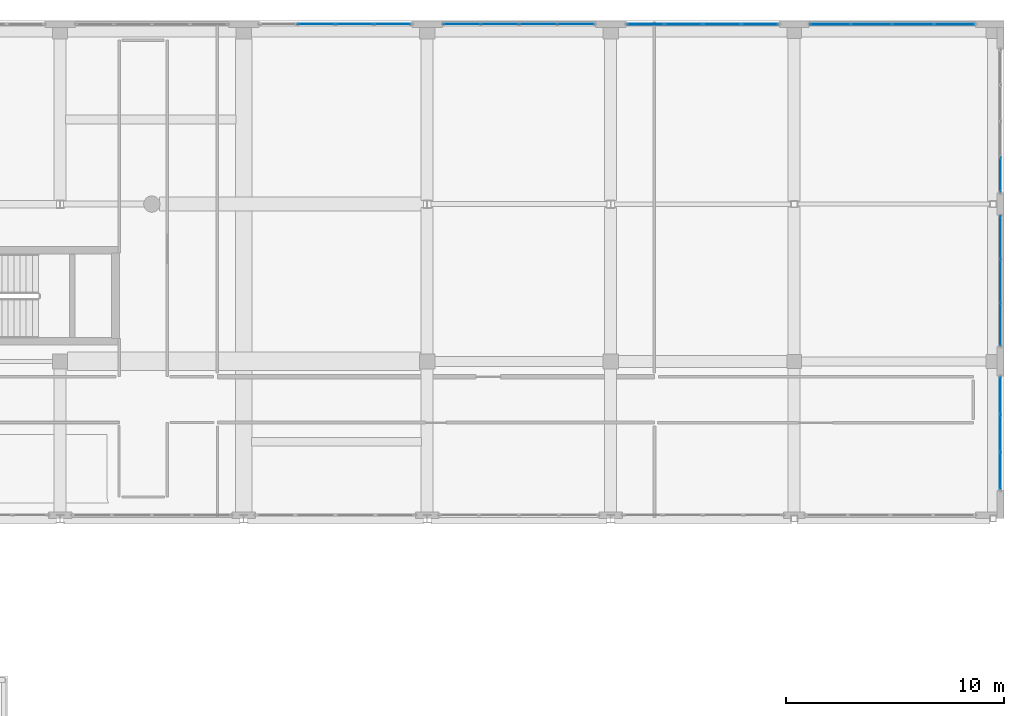
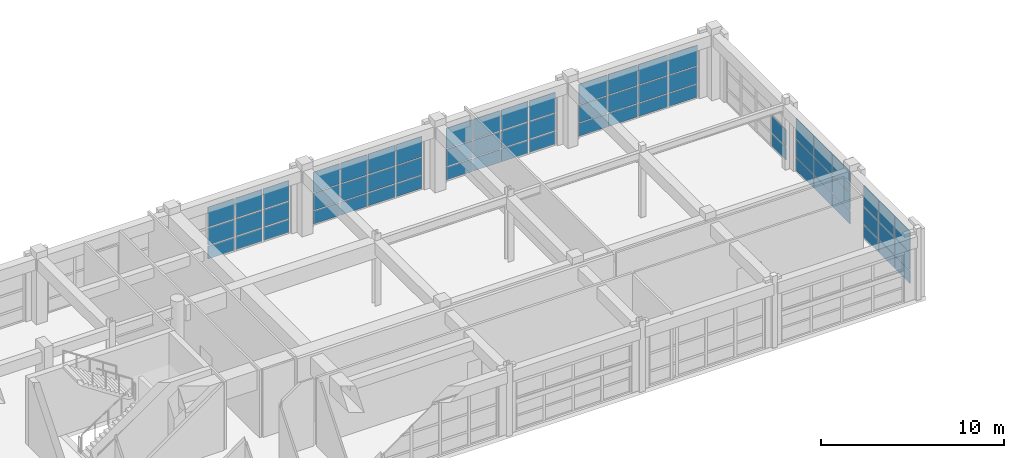
# One storey, part 98 of 123: 65 plates, 7 elements without a shape of their own.
"""IFC4 building model written with IfcOpenShell, lengths in metres."""

from ifc_helpers import new_model, si_unit, direction, frame, origin, origin_2d, place, context, subcontext, project, spatial, rectangle, extrude, material, layer, layer_set, type_object, element, aggregate, save


model = new_model("IFC4")

# Units and contexts
model_context = context("Model", 3, precision=1e-05, world=origin(), true_north=direction((0.0, 1.0)))
body_context = subcontext(model_context, "Body", "Model", "MODEL_VIEW")
ifc_project = project(units=[si_unit("LENGTHUNIT", "METRE"), si_unit("AREAUNIT", "SQUARE_METRE"), si_unit("VOLUMEUNIT", "CUBIC_METRE"), si_unit("PLANEANGLEUNIT", "RADIAN"), si_unit("MASSUNIT", "GRAM", prefix="KILO")], contexts=[model_context])

# Site, building, storey
site_placement = place(None, origin())
site = spatial("IfcSite", under=ifc_project, at=site_placement, CompositionType="ELEMENT")
building_placement = place(site_placement, origin())
building = spatial("IfcBuilding", under=site, at=building_placement, Name="Quendrovan Civic Courthouse", CompositionType="ELEMENT")
storey_placement = place(building_placement, frame((0.0, 0.0, 5.39990234375)))
storey = spatial("IfcBuildingStorey", under=building, at=storey_placement, Name="L02", CompositionType="ELEMENT", Elevation=5.39990234375)

# Curtain wall, plates
ifc_material_1 = material(Name="Bronze anodised aluminium and low-E glass", Category="aluminium")
ifc_layer_1 = layer(ifc_material_1, 0.179931640625, Name="Bronze anodised aluminium and low-E glass")
ifc_layer_set_1 = layer_set([ifc_layer_1], Name="Bronze anodised aluminium and low-E glass")
curtain_wall_type_1 = type_object("IfcCurtainWallType", Name="CW-U70x36", PredefinedType="USERDEFINED", material=ifc_layer_set_1)
curtain_wall_1_placement = place(storey_placement, origin())
curtain_wall_1 = element("IfcCurtainWall", 1, at=curtain_wall_1_placement, inside=storey, type_object=curtain_wall_type_1, Name="L02 Unitised Hurricane Curtain Wall CW-092", ObjectType="UNITISED CURTAIN WALL", PredefinedType="USERDEFINED")
ifc_material_2 = material(Name="Laminated hurricane-impact low-E glass", Category="glass")
ifc_layer_2 = layer(ifc_material_2, 0.028076171875, Name="Laminated hurricane-impact low-E glass")
ifc_layer_set_2 = layer_set([ifc_layer_2], Name="Laminated hurricane-impact low-E glass")
plate_type_1 = type_object("IfcPlateType", Name="CW-PNL-1", PredefinedType="CURTAIN_PANEL", material=ifc_layer_set_2)
plate_1_placement = place(storey_placement, frame((129.324951171875, 110.235107421875, 0.0703125), z_axis=(0.0, 0.0, 1.0), x_axis=(1.0, 0.0, 0.0)))
plate_1 = element("IfcPlate", 2, at=plate_1_placement, type_object=plate_type_1, Name="CW-092 panel 2.1", PredefinedType="CURTAIN_PANEL", context=body_context, shape_type="SweptSolid", body=[
    extrude(rectangle(XDim=1.679931640625, YDim=0.028076171875, at=origin_2d()), origin(), (0.0, 0.0, 1.0), 0.844970703125),
])
plate_2_placement = place(storey_placement, frame((129.324951171875, 110.235107421875, 0.985107421875), z_axis=(0.0, 0.0, 1.0), x_axis=(1.0, 0.0, 0.0)))
plate_2 = element("IfcPlate", 3, at=plate_2_placement, type_object=plate_type_1, Name="CW-092 panel 2.2", PredefinedType="CURTAIN_PANEL", context=body_context, shape_type="SweptSolid", body=[
    extrude(rectangle(XDim=1.679931640625, YDim=0.028076171875, at=origin_2d()), origin(), (0.0, 0.0, 1.0), 1.1298828125),
])
plate_3_placement = place(storey_placement, frame((129.324951171875, 110.235107421875, 2.18505859375), z_axis=(0.0, 0.0, 1.0), x_axis=(1.0, 0.0, 0.0)))
plate_3 = element("IfcPlate", 4, at=plate_3_placement, type_object=plate_type_1, Name="CW-092 panel 2.3", PredefinedType="CURTAIN_PANEL", context=body_context, shape_type="SweptSolid", body=[
    extrude(rectangle(XDim=1.679931640625, YDim=0.028076171875, at=origin_2d()), origin(), (0.0, 0.0, 1.0), 1.344970703125),
])
plate_4_placement = place(storey_placement, frame((131.074951171875, 110.235107421875, 0.0703125), z_axis=(0.0, 0.0, 1.0), x_axis=(1.0, 0.0, 0.0)))
plate_4 = element("IfcPlate", 5, at=plate_4_placement, type_object=plate_type_1, Name="CW-092 panel 3.1", PredefinedType="CURTAIN_PANEL", context=body_context, shape_type="SweptSolid", body=[
    extrude(rectangle(XDim=1.679931640625, YDim=0.028076171875, at=origin_2d()), origin(), (0.0, 0.0, 1.0), 0.844970703125),
])
plate_5_placement = place(storey_placement, frame((131.074951171875, 110.235107421875, 0.985107421875), z_axis=(0.0, 0.0, 1.0), x_axis=(1.0, 0.0, 0.0)))
plate_5 = element("IfcPlate", 6, at=plate_5_placement, type_object=plate_type_1, Name="CW-092 panel 3.2", PredefinedType="CURTAIN_PANEL", context=body_context, shape_type="SweptSolid", body=[
    extrude(rectangle(XDim=1.679931640625, YDim=0.028076171875, at=origin_2d()), origin(), (0.0, 0.0, 1.0), 1.1298828125),
])
plate_6_placement = place(storey_placement, frame((131.074951171875, 110.235107421875, 2.18505859375), z_axis=(0.0, 0.0, 1.0), x_axis=(1.0, 0.0, 0.0)))
plate_6 = element("IfcPlate", 7, at=plate_6_placement, type_object=plate_type_1, Name="CW-092 panel 3.3", PredefinedType="CURTAIN_PANEL", context=body_context, shape_type="SweptSolid", body=[
    extrude(rectangle(XDim=1.679931640625, YDim=0.028076171875, at=origin_2d()), origin(), (0.0, 0.0, 1.0), 1.344970703125),
])
plate_7_placement = place(storey_placement, frame((132.8076171875, 110.235107421875, 0.0703125), z_axis=(0.0, 0.0, 1.0), x_axis=(1.0, 0.0, 0.0)))
plate_7 = element("IfcPlate", 8, at=plate_7_placement, type_object=plate_type_1, Name="CW-092 panel 4.1", PredefinedType="CURTAIN_PANEL", context=body_context, shape_type="SweptSolid", body=[
    extrude(rectangle(XDim=1.64501953125, YDim=0.028076171875, at=origin_2d()), origin(), (0.0, 0.0, 1.0), 0.844970703125),
])
plate_8_placement = place(storey_placement, frame((132.8076171875, 110.235107421875, 0.985107421875), z_axis=(0.0, 0.0, 1.0), x_axis=(1.0, 0.0, 0.0)))
plate_8 = element("IfcPlate", 9, at=plate_8_placement, type_object=plate_type_1, Name="CW-092 panel 4.2", PredefinedType="CURTAIN_PANEL", context=body_context, shape_type="SweptSolid", body=[
    extrude(rectangle(XDim=1.64501953125, YDim=0.028076171875, at=origin_2d()), origin(), (0.0, 0.0, 1.0), 1.1298828125),
])
plate_9_placement = place(storey_placement, frame((132.8076171875, 110.235107421875, 2.18505859375), z_axis=(0.0, 0.0, 1.0), x_axis=(1.0, 0.0, 0.0)))
plate_9 = element("IfcPlate", 10, at=plate_9_placement, type_object=plate_type_1, Name="CW-092 panel 4.3", PredefinedType="CURTAIN_PANEL", context=body_context, shape_type="SweptSolid", body=[
    extrude(rectangle(XDim=1.64501953125, YDim=0.028076171875, at=origin_2d()), origin(), (0.0, 0.0, 1.0), 1.344970703125),
])
aggregate(curtain_wall_1, [plate_1, plate_2, plate_3, plate_4, plate_5, plate_6, plate_7, plate_8, plate_9])

ifc_layer_3 = layer(ifc_material_1, 0.179931640625, Name="Bronze anodised aluminium and low-E glass")
ifc_layer_set_3 = layer_set([ifc_layer_3], Name="Bronze anodised aluminium and low-E glass")
curtain_wall_type_2 = type_object("IfcCurtainWallType", Name="CW-U66x36", PredefinedType="USERDEFINED", material=ifc_layer_set_3)
curtain_wall_2_placement = place(storey_placement, origin())
curtain_wall_2 = element("IfcCurtainWall", 11, at=curtain_wall_2_placement, inside=storey, type_object=curtain_wall_type_2, Name="L02 Unitised Hurricane Curtain Wall CW-096", ObjectType="UNITISED CURTAIN WALL", PredefinedType="USERDEFINED")
plate_10_placement = place(storey_placement, frame((160.635009765625, 103.342529296875, 0.0703125), z_axis=(0.0, 0.0, 1.0), x_axis=(0.0, -1.0, 0.0)))
plate_10 = element("IfcPlate", 12, at=plate_10_placement, type_object=plate_type_1, Name="CW-096 panel 4.1", PredefinedType="CURTAIN_PANEL", context=body_context, shape_type="SweptSolid", body=[
    extrude(rectangle(XDim=1.544921875, YDim=0.028076171875, at=origin_2d()), origin(), (0.0, 0.0, 1.0), 0.844970703125),
])
plate_11_placement = place(storey_placement, frame((160.635009765625, 103.342529296875, 0.985107421875), z_axis=(0.0, 0.0, 1.0), x_axis=(0.0, -1.0, 0.0)))
plate_11 = element("IfcPlate", 13, at=plate_11_placement, type_object=plate_type_1, Name="CW-096 panel 4.2", PredefinedType="CURTAIN_PANEL", context=body_context, shape_type="SweptSolid", body=[
    extrude(rectangle(XDim=1.544921875, YDim=0.028076171875, at=origin_2d()), origin(), (0.0, 0.0, 1.0), 1.1298828125),
])
aggregate(curtain_wall_2, [plate_10, plate_11])

curtain_wall_3_placement = place(storey_placement, origin())
curtain_wall_3 = element("IfcCurtainWall", 14, at=curtain_wall_3_placement, inside=storey, type_object=curtain_wall_type_1, Name="L02 Unitised Hurricane Curtain Wall CW-093", ObjectType="UNITISED CURTAIN WALL", PredefinedType="USERDEFINED")
ifc_layer_4 = layer(ifc_material_2, 0.031982421875, Name="Laminated hurricane-impact low-E glass")
ifc_layer_set_4 = layer_set([ifc_layer_4], Name="Laminated hurricane-impact low-E glass")
plate_type_2 = type_object("IfcPlateType", Name="CW-PNL-2", PredefinedType="CURTAIN_PANEL", material=ifc_layer_set_4)
plate_12_placement = place(storey_placement, frame((135.9912109375, 110.235107421875, 0.065185546875), z_axis=(0.0, 0.0, 1.0), x_axis=(1.0, 0.0, 0.0)))
plate_12 = element("IfcPlate", 15, at=plate_12_placement, type_object=plate_type_2, Name="CW-093 panel 1.1", PredefinedType="CURTAIN_PANEL", context=body_context, shape_type="SweptSolid", body=[
    extrude(rectangle(XDim=1.652587890625, YDim=0.031982421875, at=origin_2d()), origin(), (0.0, 0.0, 1.0), 0.8525390625),
])
plate_13_placement = place(storey_placement, frame((135.9912109375, 110.235107421875, 0.982421875), z_axis=(0.0, 0.0, 1.0), x_axis=(1.0, 0.0, 0.0)))
plate_13 = element("IfcPlate", 16, at=plate_13_placement, type_object=plate_type_2, Name="CW-093 panel 1.2", PredefinedType="CURTAIN_PANEL", context=body_context, shape_type="SweptSolid", body=[
    extrude(rectangle(XDim=1.652587890625, YDim=0.031982421875, at=origin_2d()), origin(), (0.0, 0.0, 1.0), 1.135009765625),
])
plate_14_placement = place(storey_placement, frame((135.9912109375, 110.235107421875, 2.1826171875), z_axis=(0.0, 0.0, 1.0), x_axis=(1.0, 0.0, 0.0)))
plate_14 = element("IfcPlate", 17, at=plate_14_placement, type_object=plate_type_2, Name="CW-093 panel 1.3", PredefinedType="CURTAIN_PANEL", context=body_context, shape_type="SweptSolid", body=[
    extrude(rectangle(XDim=1.652587890625, YDim=0.031982421875, at=origin_2d()), origin(), (0.0, 0.0, 1.0), 1.3525390625),
])
plate_15_placement = place(storey_placement, frame((137.72509765625, 110.235107421875, 0.065185546875), z_axis=(0.0, 0.0, 1.0), x_axis=(1.0, 0.0, 0.0)))
plate_15 = element("IfcPlate", 18, at=plate_15_placement, type_object=plate_type_2, Name="CW-093 panel 2.1", PredefinedType="CURTAIN_PANEL", context=body_context, shape_type="SweptSolid", body=[
    extrude(rectangle(XDim=1.68505859375, YDim=0.031982421875, at=origin_2d()), origin(), (0.0, 0.0, 1.0), 0.8525390625),
])
plate_16_placement = place(storey_placement, frame((137.72509765625, 110.235107421875, 0.982421875), z_axis=(0.0, 0.0, 1.0), x_axis=(1.0, 0.0, 0.0)))
plate_16 = element("IfcPlate", 19, at=plate_16_placement, type_object=plate_type_2, Name="CW-093 panel 2.2", PredefinedType="CURTAIN_PANEL", context=body_context, shape_type="SweptSolid", body=[
    extrude(rectangle(XDim=1.68505859375, YDim=0.031982421875, at=origin_2d()), origin(), (0.0, 0.0, 1.0), 1.135009765625),
])
plate_17_placement = place(storey_placement, frame((137.72509765625, 110.235107421875, 2.1826171875), z_axis=(0.0, 0.0, 1.0), x_axis=(1.0, 0.0, 0.0)))
plate_17 = element("IfcPlate", 20, at=plate_17_placement, type_object=plate_type_2, Name="CW-093 panel 2.3", PredefinedType="CURTAIN_PANEL", context=body_context, shape_type="SweptSolid", body=[
    extrude(rectangle(XDim=1.68505859375, YDim=0.031982421875, at=origin_2d()), origin(), (0.0, 0.0, 1.0), 1.3525390625),
])
plate_18_placement = place(storey_placement, frame((139.47509765625, 110.235107421875, 0.065185546875), z_axis=(0.0, 0.0, 1.0), x_axis=(1.0, 0.0, 0.0)))
plate_18 = element("IfcPlate", 21, at=plate_18_placement, type_object=plate_type_2, Name="CW-093 panel 3.1", PredefinedType="CURTAIN_PANEL", context=body_context, shape_type="SweptSolid", body=[
    extrude(rectangle(XDim=1.68505859375, YDim=0.031982421875, at=origin_2d()), origin(), (0.0, 0.0, 1.0), 0.8525390625),
])
plate_19_placement = place(storey_placement, frame((139.47509765625, 110.235107421875, 0.982421875), z_axis=(0.0, 0.0, 1.0), x_axis=(1.0, 0.0, 0.0)))
plate_19 = element("IfcPlate", 22, at=plate_19_placement, type_object=plate_type_2, Name="CW-093 panel 3.2", PredefinedType="CURTAIN_PANEL", context=body_context, shape_type="SweptSolid", body=[
    extrude(rectangle(XDim=1.68505859375, YDim=0.031982421875, at=origin_2d()), origin(), (0.0, 0.0, 1.0), 1.135009765625),
])
plate_20_placement = place(storey_placement, frame((139.47509765625, 110.235107421875, 2.1826171875), z_axis=(0.0, 0.0, 1.0), x_axis=(1.0, 0.0, 0.0)))
plate_20 = element("IfcPlate", 23, at=plate_20_placement, type_object=plate_type_2, Name="CW-093 panel 3.3", PredefinedType="CURTAIN_PANEL", context=body_context, shape_type="SweptSolid", body=[
    extrude(rectangle(XDim=1.68505859375, YDim=0.031982421875, at=origin_2d()), origin(), (0.0, 0.0, 1.0), 1.3525390625),
])
plate_21_placement = place(storey_placement, frame((141.208740234375, 110.235107421875, 0.065185546875), z_axis=(0.0, 0.0, 1.0), x_axis=(1.0, 0.0, 0.0)))
plate_21 = element("IfcPlate", 24, at=plate_21_placement, type_object=plate_type_2, Name="CW-093 panel 4.1", PredefinedType="CURTAIN_PANEL", context=body_context, shape_type="SweptSolid", body=[
    extrude(rectangle(XDim=1.652587890625, YDim=0.031982421875, at=origin_2d()), origin(), (0.0, 0.0, 1.0), 0.8525390625),
])
plate_22_placement = place(storey_placement, frame((141.208740234375, 110.235107421875, 0.982421875), z_axis=(0.0, 0.0, 1.0), x_axis=(1.0, 0.0, 0.0)))
plate_22 = element("IfcPlate", 25, at=plate_22_placement, type_object=plate_type_2, Name="CW-093 panel 4.2", PredefinedType="CURTAIN_PANEL", context=body_context, shape_type="SweptSolid", body=[
    extrude(rectangle(XDim=1.652587890625, YDim=0.031982421875, at=origin_2d()), origin(), (0.0, 0.0, 1.0), 1.135009765625),
])
plate_23_placement = place(storey_placement, frame((141.208740234375, 110.235107421875, 2.1826171875), z_axis=(0.0, 0.0, 1.0), x_axis=(1.0, 0.0, 0.0)))
plate_23 = element("IfcPlate", 26, at=plate_23_placement, type_object=plate_type_2, Name="CW-093 panel 4.3", PredefinedType="CURTAIN_PANEL", context=body_context, shape_type="SweptSolid", body=[
    extrude(rectangle(XDim=1.652587890625, YDim=0.031982421875, at=origin_2d()), origin(), (0.0, 0.0, 1.0), 1.3525390625),
])
aggregate(curtain_wall_3, [plate_12, plate_13, plate_14, plate_15, plate_16, plate_17, plate_18, plate_19, plate_20, plate_21, plate_22, plate_23])

ifc_layer_5 = layer(ifc_material_1, 0.179931640625, Name="Bronze anodised aluminium and low-E glass")
ifc_layer_set_5 = layer_set([ifc_layer_5], Name="Bronze anodised aluminium and low-E glass")
curtain_wall_type_3 = type_object("IfcCurtainWallType", Name="CW-U60x36", PredefinedType="USERDEFINED", material=ifc_layer_set_5)
curtain_wall_4_placement = place(storey_placement, origin())
curtain_wall_4 = element("IfcCurtainWall", 27, at=curtain_wall_4_placement, inside=storey, type_object=curtain_wall_type_3, Name="L02 Unitised Hurricane Curtain Wall CW-097", ObjectType="UNITISED CURTAIN WALL", PredefinedType="USERDEFINED")
plate_24_placement = place(storey_placement, frame((160.635009765625, 100.4794921875, 0.065185546875), z_axis=(0.0, 0.0, 1.0), x_axis=(0.0, -1.0, 0.0)))
plate_24 = element("IfcPlate", 28, at=plate_24_placement, type_object=plate_type_2, Name="CW-097 panel 1.1", PredefinedType="CURTAIN_PANEL", context=body_context, shape_type="SweptSolid", body=[
    extrude(rectangle(XDim=1.910888671875, YDim=0.031982421875, at=origin_2d()), origin(), (0.0, 0.0, 1.0), 0.8525390625),
])
plate_25_placement = place(storey_placement, frame((160.635009765625, 100.4794921875, 0.982421875), z_axis=(0.0, 0.0, 1.0), x_axis=(0.0, -1.0, 0.0)))
plate_25 = element("IfcPlate", 29, at=plate_25_placement, type_object=plate_type_2, Name="CW-097 panel 1.2", PredefinedType="CURTAIN_PANEL", context=body_context, shape_type="SweptSolid", body=[
    extrude(rectangle(XDim=1.910888671875, YDim=0.031982421875, at=origin_2d()), origin(), (0.0, 0.0, 1.0), 1.135009765625),
])
plate_26_placement = place(storey_placement, frame((160.635009765625, 100.4794921875, 2.1826171875), z_axis=(0.0, 0.0, 1.0), x_axis=(0.0, -1.0, 0.0)))
plate_26 = element("IfcPlate", 30, at=plate_26_placement, type_object=plate_type_2, Name="CW-097 panel 1.3", PredefinedType="CURTAIN_PANEL", context=body_context, shape_type="SweptSolid", body=[
    extrude(rectangle(XDim=1.910888671875, YDim=0.031982421875, at=origin_2d()), origin(), (0.0, 0.0, 1.0), 1.392578125),
])
plate_27_placement = place(storey_placement, frame((160.635009765625, 98.487548828125, 0.065185546875), z_axis=(0.0, 0.0, 1.0), x_axis=(0.0, -1.0, 0.0)))
plate_27 = element("IfcPlate", 31, at=plate_27_placement, type_object=plate_type_2, Name="CW-097 panel 2.1", PredefinedType="CURTAIN_PANEL", context=body_context, shape_type="SweptSolid", body=[
    extrude(rectangle(XDim=1.943359375, YDim=0.031982421875, at=origin_2d()), origin(), (0.0, 0.0, 1.0), 0.8525390625),
])
plate_28_placement = place(storey_placement, frame((160.635009765625, 98.487548828125, 0.982421875), z_axis=(0.0, 0.0, 1.0), x_axis=(0.0, -1.0, 0.0)))
plate_28 = element("IfcPlate", 32, at=plate_28_placement, type_object=plate_type_2, Name="CW-097 panel 2.2", PredefinedType="CURTAIN_PANEL", context=body_context, shape_type="SweptSolid", body=[
    extrude(rectangle(XDim=1.943359375, YDim=0.031982421875, at=origin_2d()), origin(), (0.0, 0.0, 1.0), 1.135009765625),
])
plate_29_placement = place(storey_placement, frame((160.635009765625, 98.487548828125, 2.1826171875), z_axis=(0.0, 0.0, 1.0), x_axis=(0.0, -1.0, 0.0)))
plate_29 = element("IfcPlate", 33, at=plate_29_placement, type_object=plate_type_2, Name="CW-097 panel 2.3", PredefinedType="CURTAIN_PANEL", context=body_context, shape_type="SweptSolid", body=[
    extrude(rectangle(XDim=1.943359375, YDim=0.031982421875, at=origin_2d()), origin(), (0.0, 0.0, 1.0), 1.392578125),
])
plate_30_placement = place(storey_placement, frame((160.635009765625, 96.495361328125, 0.065185546875), z_axis=(0.0, 0.0, 1.0), x_axis=(0.0, -1.0, 0.0)))
plate_30 = element("IfcPlate", 34, at=plate_30_placement, type_object=plate_type_2, Name="CW-097 panel 3.1", PredefinedType="CURTAIN_PANEL", context=body_context, shape_type="SweptSolid", body=[
    extrude(rectangle(XDim=1.910888671875, YDim=0.031982421875, at=origin_2d()), origin(), (0.0, 0.0, 1.0), 0.8525390625),
])
plate_31_placement = place(storey_placement, frame((160.635009765625, 96.495361328125, 0.982421875), z_axis=(0.0, 0.0, 1.0), x_axis=(0.0, -1.0, 0.0)))
plate_31 = element("IfcPlate", 35, at=plate_31_placement, type_object=plate_type_2, Name="CW-097 panel 3.2", PredefinedType="CURTAIN_PANEL", context=body_context, shape_type="SweptSolid", body=[
    extrude(rectangle(XDim=1.910888671875, YDim=0.031982421875, at=origin_2d()), origin(), (0.0, 0.0, 1.0), 1.135009765625),
])
plate_32_placement = place(storey_placement, frame((160.635009765625, 96.495361328125, 2.1826171875), z_axis=(0.0, 0.0, 1.0), x_axis=(0.0, -1.0, 0.0)))
plate_32 = element("IfcPlate", 36, at=plate_32_placement, type_object=plate_type_2, Name="CW-097 panel 3.3", PredefinedType="CURTAIN_PANEL", context=body_context, shape_type="SweptSolid", body=[
    extrude(rectangle(XDim=1.910888671875, YDim=0.031982421875, at=origin_2d()), origin(), (0.0, 0.0, 1.0), 1.392578125),
])
aggregate(curtain_wall_4, [plate_24, plate_25, plate_26, plate_27, plate_28, plate_29, plate_30, plate_31, plate_32])

curtain_wall_5_placement = place(storey_placement, origin())
curtain_wall_5 = element("IfcCurtainWall", 37, at=curtain_wall_5_placement, inside=storey, type_object=curtain_wall_type_1, Name="L02 Unitised Hurricane Curtain Wall CW-094", ObjectType="UNITISED CURTAIN WALL", PredefinedType="USERDEFINED")
ifc_layer_6 = layer(ifc_material_2, 0.035888671875, Name="Laminated hurricane-impact low-E glass")
ifc_layer_set_6 = layer_set([ifc_layer_6], Name="Laminated hurricane-impact low-E glass")
plate_type_3 = type_object("IfcPlateType", Name="CW-PNL-3", PredefinedType="CURTAIN_PANEL", material=ifc_layer_set_6)
plate_33_placement = place(storey_placement, frame((144.3955078125, 110.235107421875, 0.0703125), z_axis=(0.0, 0.0, 1.0), x_axis=(1.0, 0.0, 0.0)))
plate_33 = element("IfcPlate", 38, at=plate_33_placement, type_object=plate_type_3, Name="CW-094 panel 1.1", PredefinedType="CURTAIN_PANEL", context=body_context, shape_type="SweptSolid", body=[
    extrude(rectangle(XDim=1.6513671875, YDim=0.035888671875, at=origin_2d()), origin(), (0.0, 0.0, 1.0), 0.844970703125),
])
plate_34_placement = place(storey_placement, frame((144.3955078125, 110.235107421875, 0.985107421875), z_axis=(0.0, 0.0, 1.0), x_axis=(1.0, 0.0, 0.0)))
plate_34 = element("IfcPlate", 39, at=plate_34_placement, type_object=plate_type_3, Name="CW-094 panel 1.2", PredefinedType="CURTAIN_PANEL", context=body_context, shape_type="SweptSolid", body=[
    extrude(rectangle(XDim=1.6513671875, YDim=0.035888671875, at=origin_2d()), origin(), (0.0, 0.0, 1.0), 1.1298828125),
])
plate_35_placement = place(storey_placement, frame((144.3955078125, 110.235107421875, 2.18505859375), z_axis=(0.0, 0.0, 1.0), x_axis=(1.0, 0.0, 0.0)))
plate_35 = element("IfcPlate", 40, at=plate_35_placement, type_object=plate_type_3, Name="CW-094 panel 1.3", PredefinedType="CURTAIN_PANEL", context=body_context, shape_type="SweptSolid", body=[
    extrude(rectangle(XDim=1.6513671875, YDim=0.035888671875, at=origin_2d()), origin(), (0.0, 0.0, 1.0), 1.344970703125),
])
plate_36_placement = place(storey_placement, frame((146.13427734375, 110.235107421875, 0.0703125), z_axis=(0.0, 0.0, 1.0), x_axis=(1.0, 0.0, 0.0)))
plate_36 = element("IfcPlate", 41, at=plate_36_placement, type_object=plate_type_3, Name="CW-094 panel 2.1", PredefinedType="CURTAIN_PANEL", context=body_context, shape_type="SweptSolid", body=[
    extrude(rectangle(XDim=1.686279296875, YDim=0.035888671875, at=origin_2d()), origin(), (0.0, 0.0, 1.0), 0.844970703125),
])
plate_37_placement = place(storey_placement, frame((146.13427734375, 110.235107421875, 0.985107421875), z_axis=(0.0, 0.0, 1.0), x_axis=(1.0, 0.0, 0.0)))
plate_37 = element("IfcPlate", 42, at=plate_37_placement, type_object=plate_type_3, Name="CW-094 panel 2.2", PredefinedType="CURTAIN_PANEL", context=body_context, shape_type="SweptSolid", body=[
    extrude(rectangle(XDim=1.686279296875, YDim=0.035888671875, at=origin_2d()), origin(), (0.0, 0.0, 1.0), 1.1298828125),
])
plate_38_placement = place(storey_placement, frame((146.13427734375, 110.235107421875, 2.18505859375), z_axis=(0.0, 0.0, 1.0), x_axis=(1.0, 0.0, 0.0)))
plate_38 = element("IfcPlate", 43, at=plate_38_placement, type_object=plate_type_3, Name="CW-094 panel 2.3", PredefinedType="CURTAIN_PANEL", context=body_context, shape_type="SweptSolid", body=[
    extrude(rectangle(XDim=1.686279296875, YDim=0.035888671875, at=origin_2d()), origin(), (0.0, 0.0, 1.0), 1.344970703125),
])
plate_39_placement = place(storey_placement, frame((147.890625, 110.235107421875, 0.0703125), z_axis=(0.0, 0.0, 1.0), x_axis=(1.0, 0.0, 0.0)))
plate_39 = element("IfcPlate", 44, at=plate_39_placement, type_object=plate_type_3, Name="CW-094 panel 3.1", PredefinedType="CURTAIN_PANEL", context=body_context, shape_type="SweptSolid", body=[
    extrude(rectangle(XDim=1.686279296875, YDim=0.035888671875, at=origin_2d()), origin(), (0.0, 0.0, 1.0), 0.844970703125),
])
plate_40_placement = place(storey_placement, frame((147.890625, 110.235107421875, 0.985107421875), z_axis=(0.0, 0.0, 1.0), x_axis=(1.0, 0.0, 0.0)))
plate_40 = element("IfcPlate", 45, at=plate_40_placement, type_object=plate_type_3, Name="CW-094 panel 3.2", PredefinedType="CURTAIN_PANEL", context=body_context, shape_type="SweptSolid", body=[
    extrude(rectangle(XDim=1.686279296875, YDim=0.035888671875, at=origin_2d()), origin(), (0.0, 0.0, 1.0), 1.1298828125),
])
plate_41_placement = place(storey_placement, frame((147.890625, 110.235107421875, 2.18505859375), z_axis=(0.0, 0.0, 1.0), x_axis=(1.0, 0.0, 0.0)))
plate_41 = element("IfcPlate", 46, at=plate_41_placement, type_object=plate_type_3, Name="CW-094 panel 3.3", PredefinedType="CURTAIN_PANEL", context=body_context, shape_type="SweptSolid", body=[
    extrude(rectangle(XDim=1.686279296875, YDim=0.035888671875, at=origin_2d()), origin(), (0.0, 0.0, 1.0), 1.344970703125),
])
plate_42_placement = place(storey_placement, frame((149.62939453125, 110.235107421875, 0.0703125), z_axis=(0.0, 0.0, 1.0), x_axis=(1.0, 0.0, 0.0)))
plate_42 = element("IfcPlate", 47, at=plate_42_placement, type_object=plate_type_3, Name="CW-094 panel 4.1", PredefinedType="CURTAIN_PANEL", context=body_context, shape_type="SweptSolid", body=[
    extrude(rectangle(XDim=1.6513671875, YDim=0.035888671875, at=origin_2d()), origin(), (0.0, 0.0, 1.0), 0.844970703125),
])
plate_43_placement = place(storey_placement, frame((149.62939453125, 110.235107421875, 0.985107421875), z_axis=(0.0, 0.0, 1.0), x_axis=(1.0, 0.0, 0.0)))
plate_43 = element("IfcPlate", 48, at=plate_43_placement, type_object=plate_type_3, Name="CW-094 panel 4.2", PredefinedType="CURTAIN_PANEL", context=body_context, shape_type="SweptSolid", body=[
    extrude(rectangle(XDim=1.6513671875, YDim=0.035888671875, at=origin_2d()), origin(), (0.0, 0.0, 1.0), 1.1298828125),
])
plate_44_placement = place(storey_placement, frame((149.62939453125, 110.235107421875, 2.18505859375), z_axis=(0.0, 0.0, 1.0), x_axis=(1.0, 0.0, 0.0)))
plate_44 = element("IfcPlate", 49, at=plate_44_placement, type_object=plate_type_3, Name="CW-094 panel 4.3", PredefinedType="CURTAIN_PANEL", context=body_context, shape_type="SweptSolid", body=[
    extrude(rectangle(XDim=1.6513671875, YDim=0.035888671875, at=origin_2d()), origin(), (0.0, 0.0, 1.0), 1.344970703125),
])
aggregate(curtain_wall_5, [plate_33, plate_34, plate_35, plate_36, plate_37, plate_38, plate_39, plate_40, plate_41, plate_42, plate_43, plate_44])

ifc_layer_7 = layer(ifc_material_1, 0.179931640625, Name="Bronze anodised aluminium and low-E glass")
ifc_layer_set_7 = layer_set([ifc_layer_7], Name="Bronze anodised aluminium and low-E glass")
curtain_wall_type_4 = type_object("IfcCurtainWallType", Name="CW-U52x36", PredefinedType="USERDEFINED", material=ifc_layer_set_7)
curtain_wall_6_placement = place(storey_placement, origin())
curtain_wall_6 = element("IfcCurtainWall", 50, at=curtain_wall_6_placement, inside=storey, type_object=curtain_wall_type_4, Name="L02 Unitised Hurricane Curtain Wall CW-098", ObjectType="UNITISED CURTAIN WALL", PredefinedType="USERDEFINED")
plate_45_placement = place(storey_placement, frame((160.635009765625, 93.236572265625, 0.0703125), z_axis=(0.0, 0.0, 1.0), x_axis=(0.0, -1.0, 0.0)))
plate_45 = element("IfcPlate", 51, at=plate_45_placement, type_object=plate_type_3, Name="CW-098 panel 1.1", PredefinedType="CURTAIN_PANEL", context=body_context, shape_type="SweptSolid", body=[
    extrude(rectangle(XDim=1.63671875, YDim=0.035888671875, at=origin_2d()), origin(), (0.0, 0.0, 1.0), 0.844970703125),
])
plate_46_placement = place(storey_placement, frame((160.635009765625, 93.236572265625, 0.985107421875), z_axis=(0.0, 0.0, 1.0), x_axis=(0.0, -1.0, 0.0)))
plate_46 = element("IfcPlate", 52, at=plate_46_placement, type_object=plate_type_3, Name="CW-098 panel 1.2", PredefinedType="CURTAIN_PANEL", context=body_context, shape_type="SweptSolid", body=[
    extrude(rectangle(XDim=1.63671875, YDim=0.035888671875, at=origin_2d()), origin(), (0.0, 0.0, 1.0), 1.1298828125),
])
plate_47_placement = place(storey_placement, frame((160.635009765625, 93.236572265625, 2.18505859375), z_axis=(0.0, 0.0, 1.0), x_axis=(0.0, -1.0, 0.0)))
plate_47 = element("IfcPlate", 53, at=plate_47_placement, type_object=plate_type_3, Name="CW-098 panel 1.3", PredefinedType="CURTAIN_PANEL", context=body_context, shape_type="SweptSolid", body=[
    extrude(rectangle(XDim=1.63671875, YDim=0.035888671875, at=origin_2d()), origin(), (0.0, 0.0, 1.0), 1.385009765625),
])
plate_48_placement = place(storey_placement, frame((160.635009765625, 91.512451171875, 0.0703125), z_axis=(0.0, 0.0, 1.0), x_axis=(0.0, -1.0, 0.0)))
plate_48 = element("IfcPlate", 54, at=plate_48_placement, type_object=plate_type_3, Name="CW-098 panel 2.1", PredefinedType="CURTAIN_PANEL", context=body_context, shape_type="SweptSolid", body=[
    extrude(rectangle(XDim=1.671630859375, YDim=0.035888671875, at=origin_2d()), origin(), (0.0, 0.0, 1.0), 0.844970703125),
])
plate_49_placement = place(storey_placement, frame((160.635009765625, 91.512451171875, 0.985107421875), z_axis=(0.0, 0.0, 1.0), x_axis=(0.0, -1.0, 0.0)))
plate_49 = element("IfcPlate", 55, at=plate_49_placement, type_object=plate_type_3, Name="CW-098 panel 2.2", PredefinedType="CURTAIN_PANEL", context=body_context, shape_type="SweptSolid", body=[
    extrude(rectangle(XDim=1.671630859375, YDim=0.035888671875, at=origin_2d()), origin(), (0.0, 0.0, 1.0), 1.1298828125),
])
plate_50_placement = place(storey_placement, frame((160.635009765625, 91.512451171875, 2.18505859375), z_axis=(0.0, 0.0, 1.0), x_axis=(0.0, -1.0, 0.0)))
plate_50 = element("IfcPlate", 56, at=plate_50_placement, type_object=plate_type_3, Name="CW-098 panel 2.3", PredefinedType="CURTAIN_PANEL", context=body_context, shape_type="SweptSolid", body=[
    extrude(rectangle(XDim=1.671630859375, YDim=0.035888671875, at=origin_2d()), origin(), (0.0, 0.0, 1.0), 1.385009765625),
])
plate_51_placement = place(storey_placement, frame((160.635009765625, 89.788330078125, 0.0703125), z_axis=(0.0, 0.0, 1.0), x_axis=(0.0, -1.0, 0.0)))
plate_51 = element("IfcPlate", 57, at=plate_51_placement, type_object=plate_type_3, Name="CW-098 panel 3.1", PredefinedType="CURTAIN_PANEL", context=body_context, shape_type="SweptSolid", body=[
    extrude(rectangle(XDim=1.63671875, YDim=0.035888671875, at=origin_2d()), origin(), (0.0, 0.0, 1.0), 0.844970703125),
])
plate_52_placement = place(storey_placement, frame((160.635009765625, 89.788330078125, 0.985107421875), z_axis=(0.0, 0.0, 1.0), x_axis=(0.0, -1.0, 0.0)))
plate_52 = element("IfcPlate", 58, at=plate_52_placement, type_object=plate_type_3, Name="CW-098 panel 3.2", PredefinedType="CURTAIN_PANEL", context=body_context, shape_type="SweptSolid", body=[
    extrude(rectangle(XDim=1.63671875, YDim=0.035888671875, at=origin_2d()), origin(), (0.0, 0.0, 1.0), 1.1298828125),
])
plate_53_placement = place(storey_placement, frame((160.635009765625, 89.788330078125, 2.18505859375), z_axis=(0.0, 0.0, 1.0), x_axis=(0.0, -1.0, 0.0)))
plate_53 = element("IfcPlate", 59, at=plate_53_placement, type_object=plate_type_3, Name="CW-098 panel 3.3", PredefinedType="CURTAIN_PANEL", context=body_context, shape_type="SweptSolid", body=[
    extrude(rectangle(XDim=1.63671875, YDim=0.035888671875, at=origin_2d()), origin(), (0.0, 0.0, 1.0), 1.385009765625),
])
aggregate(curtain_wall_6, [plate_45, plate_46, plate_47, plate_48, plate_49, plate_50, plate_51, plate_52, plate_53])

ifc_layer_8 = layer(ifc_material_1, 0.179931640625, Name="Bronze anodised aluminium and low-E glass")
ifc_layer_set_8 = layer_set([ifc_layer_8], Name="Bronze anodised aluminium and low-E glass")
curtain_wall_type_5 = type_object("IfcCurtainWallType", Name="CW-U76x36", PredefinedType="USERDEFINED", material=ifc_layer_set_8)
curtain_wall_7_placement = place(storey_placement, origin())
curtain_wall_7 = element("IfcCurtainWall", 60, at=curtain_wall_7_placement, inside=storey, type_object=curtain_wall_type_5, Name="L02 Unitised Hurricane Curtain Wall CW-095", ObjectType="UNITISED CURTAIN WALL", PredefinedType="USERDEFINED")
ifc_layer_9 = layer(ifc_material_2, 0.0419921875, Name="Laminated hurricane-impact low-E glass")
ifc_layer_set_9 = layer_set([ifc_layer_9], Name="Laminated hurricane-impact low-E glass")
plate_type_4 = type_object("IfcPlateType", Name="CW-PNL-4", PredefinedType="CURTAIN_PANEL", material=ifc_layer_set_9)
plate_54_placement = place(storey_placement, frame((152.844482421875, 110.235107421875, 0.065185546875), z_axis=(0.0, 0.0, 1.0), x_axis=(1.0, 0.0, 0.0)))
plate_54 = element("IfcPlate", 61, at=plate_54_placement, type_object=plate_type_4, Name="CW-095 panel 1.1", PredefinedType="CURTAIN_PANEL", context=body_context, shape_type="SweptSolid", body=[
    extrude(rectangle(XDim=1.808837890625, YDim=0.0419921875, at=origin_2d()), origin(), (0.0, 0.0, 1.0), 0.8525390625),
])
plate_55_placement = place(storey_placement, frame((152.844482421875, 110.235107421875, 0.982421875), z_axis=(0.0, 0.0, 1.0), x_axis=(1.0, 0.0, 0.0)))
plate_55 = element("IfcPlate", 62, at=plate_55_placement, type_object=plate_type_4, Name="CW-095 panel 1.2", PredefinedType="CURTAIN_PANEL", context=body_context, shape_type="SweptSolid", body=[
    extrude(rectangle(XDim=1.808837890625, YDim=0.0419921875, at=origin_2d()), origin(), (0.0, 0.0, 1.0), 1.135009765625),
])
plate_56_placement = place(storey_placement, frame((152.844482421875, 110.235107421875, 2.1826171875), z_axis=(0.0, 0.0, 1.0), x_axis=(1.0, 0.0, 0.0)))
plate_56 = element("IfcPlate", 63, at=plate_56_placement, type_object=plate_type_4, Name="CW-095 panel 1.3", PredefinedType="CURTAIN_PANEL", context=body_context, shape_type="SweptSolid", body=[
    extrude(rectangle(XDim=1.808837890625, YDim=0.0419921875, at=origin_2d()), origin(), (0.0, 0.0, 1.0), 1.3525390625),
])
plate_57_placement = place(storey_placement, frame((154.734375, 110.235107421875, 0.065185546875), z_axis=(0.0, 0.0, 1.0), x_axis=(1.0, 0.0, 0.0)))
plate_57 = element("IfcPlate", 64, at=plate_57_placement, type_object=plate_type_4, Name="CW-095 panel 2.1", PredefinedType="CURTAIN_PANEL", context=body_context, shape_type="SweptSolid", body=[
    extrude(rectangle(XDim=1.84130859375, YDim=0.0419921875, at=origin_2d()), origin(), (0.0, 0.0, 1.0), 0.8525390625),
])
plate_58_placement = place(storey_placement, frame((154.734375, 110.235107421875, 0.982421875), z_axis=(0.0, 0.0, 1.0), x_axis=(1.0, 0.0, 0.0)))
plate_58 = element("IfcPlate", 65, at=plate_58_placement, type_object=plate_type_4, Name="CW-095 panel 2.2", PredefinedType="CURTAIN_PANEL", context=body_context, shape_type="SweptSolid", body=[
    extrude(rectangle(XDim=1.84130859375, YDim=0.0419921875, at=origin_2d()), origin(), (0.0, 0.0, 1.0), 1.135009765625),
])
plate_59_placement = place(storey_placement, frame((154.734375, 110.235107421875, 2.1826171875), z_axis=(0.0, 0.0, 1.0), x_axis=(1.0, 0.0, 0.0)))
plate_59 = element("IfcPlate", 66, at=plate_59_placement, type_object=plate_type_4, Name="CW-095 panel 2.3", PredefinedType="CURTAIN_PANEL", context=body_context, shape_type="SweptSolid", body=[
    extrude(rectangle(XDim=1.84130859375, YDim=0.0419921875, at=origin_2d()), origin(), (0.0, 0.0, 1.0), 1.3525390625),
])
plate_60_placement = place(storey_placement, frame((156.640625, 110.235107421875, 0.065185546875), z_axis=(0.0, 0.0, 1.0), x_axis=(1.0, 0.0, 0.0)))
plate_60 = element("IfcPlate", 67, at=plate_60_placement, type_object=plate_type_4, Name="CW-095 panel 3.1", PredefinedType="CURTAIN_PANEL", context=body_context, shape_type="SweptSolid", body=[
    extrude(rectangle(XDim=1.84130859375, YDim=0.0419921875, at=origin_2d()), origin(), (0.0, 0.0, 1.0), 0.8525390625),
])
plate_61_placement = place(storey_placement, frame((156.640625, 110.235107421875, 0.982421875), z_axis=(0.0, 0.0, 1.0), x_axis=(1.0, 0.0, 0.0)))
plate_61 = element("IfcPlate", 68, at=plate_61_placement, type_object=plate_type_4, Name="CW-095 panel 3.2", PredefinedType="CURTAIN_PANEL", context=body_context, shape_type="SweptSolid", body=[
    extrude(rectangle(XDim=1.84130859375, YDim=0.0419921875, at=origin_2d()), origin(), (0.0, 0.0, 1.0), 1.135009765625),
])
plate_62_placement = place(storey_placement, frame((156.640625, 110.235107421875, 2.1826171875), z_axis=(0.0, 0.0, 1.0), x_axis=(1.0, 0.0, 0.0)))
plate_62 = element("IfcPlate", 69, at=plate_62_placement, type_object=plate_type_4, Name="CW-095 panel 3.3", PredefinedType="CURTAIN_PANEL", context=body_context, shape_type="SweptSolid", body=[
    extrude(rectangle(XDim=1.84130859375, YDim=0.0419921875, at=origin_2d()), origin(), (0.0, 0.0, 1.0), 1.3525390625),
])
plate_63_placement = place(storey_placement, frame((158.530517578125, 110.235107421875, 0.065185546875), z_axis=(0.0, 0.0, 1.0), x_axis=(1.0, 0.0, 0.0)))
plate_63 = element("IfcPlate", 70, at=plate_63_placement, type_object=plate_type_4, Name="CW-095 panel 4.1", PredefinedType="CURTAIN_PANEL", context=body_context, shape_type="SweptSolid", body=[
    extrude(rectangle(XDim=1.808837890625, YDim=0.0419921875, at=origin_2d()), origin(), (0.0, 0.0, 1.0), 0.8525390625),
])
plate_64_placement = place(storey_placement, frame((158.530517578125, 110.235107421875, 0.982421875), z_axis=(0.0, 0.0, 1.0), x_axis=(1.0, 0.0, 0.0)))
plate_64 = element("IfcPlate", 71, at=plate_64_placement, type_object=plate_type_4, Name="CW-095 panel 4.2", PredefinedType="CURTAIN_PANEL", context=body_context, shape_type="SweptSolid", body=[
    extrude(rectangle(XDim=1.808837890625, YDim=0.0419921875, at=origin_2d()), origin(), (0.0, 0.0, 1.0), 1.135009765625),
])
plate_65_placement = place(storey_placement, frame((158.530517578125, 110.235107421875, 2.1826171875), z_axis=(0.0, 0.0, 1.0), x_axis=(1.0, 0.0, 0.0)))
plate_65 = element("IfcPlate", 72, at=plate_65_placement, type_object=plate_type_4, Name="CW-095 panel 4.3", PredefinedType="CURTAIN_PANEL", context=body_context, shape_type="SweptSolid", body=[
    extrude(rectangle(XDim=1.808837890625, YDim=0.0419921875, at=origin_2d()), origin(), (0.0, 0.0, 1.0), 1.3525390625),
])
aggregate(curtain_wall_7, [plate_54, plate_55, plate_56, plate_57, plate_58, plate_59, plate_60, plate_61, plate_62, plate_63, plate_64, plate_65])

save(model, "model.ifc")
